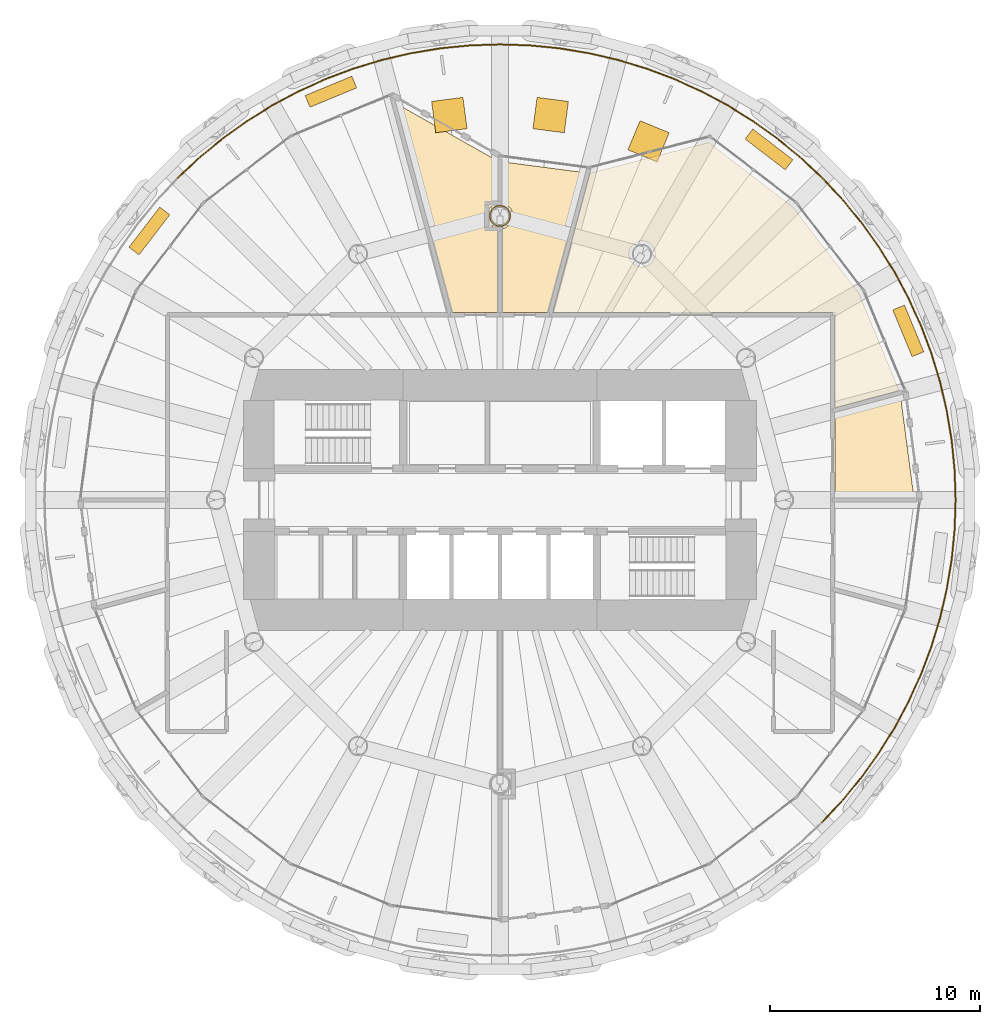
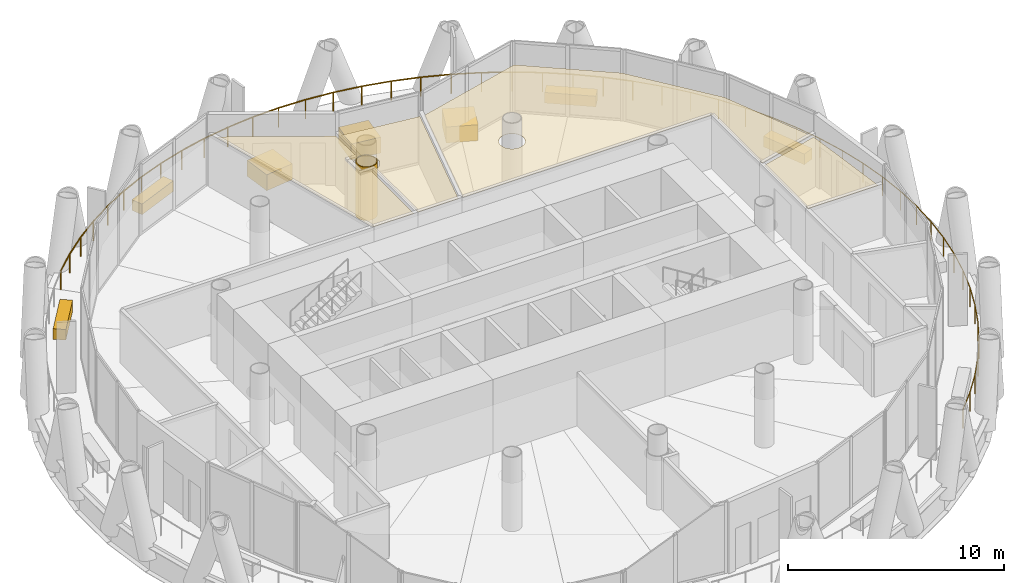
# One storey, part 14 of 14: 12 coverings, 2 railings.
"""IFC4 building model written with IfcOpenShell, lengths in metres."""

import ifcopenshell
import ifcopenshell.guid

model = None  # the IFC model being written
_history = None  # IfcOwnerHistory: only IFC2X3 demands one
_inside = {}  # id of a spatial element -> (the spatial element, [elements in it])
_under = {}  # id of a project, library or spatial element -> (it, [spatial elements below it])
_declared = {}  # id of a project -> (the project, [libraries it declares])
_typed = {}  # id of a type object -> (the type object, [elements of that type])
_made_of = {}  # id of a material, layer set ... -> (it, [elements and type objects made of it])


def new_model(schema):
    """Start an empty IFC model of exactly this schema.

    Asked for "IFC4X3", IfcOpenShell would pick the latest addendum, in which some entities
    have other attributes; the version numbers below select the first issue.
    IFC2X3 requires an IfcOwnerHistory on every rooted entity: one is made here for all.
    """
    global model, _history
    if schema == "IFC4X3":
        model = ifcopenshell.file(schema_version=(4, 3, 0, 0))
    else:
        model = ifcopenshell.file(schema=schema)
    _inside.clear()
    _under.clear()
    _declared.clear()
    _typed.clear()
    _made_of.clear()
    _history = None
    if model.schema == "IFC2X3":
        org = make("IfcOrganization", Name="unknown")
        user = make(
            "IfcPersonAndOrganization",
            ThePerson=make("IfcPerson", FamilyName="unknown"),
            TheOrganization=org,
        )
        app = make(
            "IfcApplication",
            ApplicationDeveloper=org,
            Version="unknown",
            ApplicationFullName="unknown",
            ApplicationIdentifier="unknown",
        )
        _history = make(
            "IfcOwnerHistory",
            OwningUser=user,
            OwningApplication=app,
            ChangeAction="ADDED",
            CreationDate=0,
        )
    return model


def make(cls, **values):
    """One entity of the class cls with the attributes given. An attribute that is None is left unset."""
    return model.create_entity(
        cls, **{name: value for name, value in values.items() if value is not None}
    )


def rooted(cls, **values):
    """An entity with a GlobalId (a new one), such as an element, a storey or a relation."""
    return make(cls, GlobalId=ifcopenshell.guid.new(), OwnerHistory=_history, **values)


def si_unit(unit_type, name, prefix=None):
    """IfcSIUnit, for example si_unit("LENGTHUNIT", "METRE", prefix="MILLI")."""
    return make("IfcSIUnit", UnitType=unit_type, Prefix=prefix, Name=name)


def assignment(units):
    """IfcUnitAssignment: the units of a project."""
    return None if units is None else make("IfcUnitAssignment", Units=units)


def point(xyz):
    """IfcCartesianPoint."""
    return None if xyz is None else make("IfcCartesianPoint", Coordinates=xyz)


def direction(xyz):
    """IfcDirection."""
    return None if xyz is None else make("IfcDirection", DirectionRatios=xyz)


def frame(location, z_axis=None, x_axis=None):
    """IfcAxis2Placement3D, a coordinate frame: its origin and axes. An axis left out is left unset."""
    return make(
        "IfcAxis2Placement3D",
        Location=point(location),
        Axis=direction(z_axis),
        RefDirection=direction(x_axis),
    )


def frame_2d(location, x_axis=None):
    """IfcAxis2Placement2D, a coordinate frame in the plane: its origin and x axis."""
    return make(
        "IfcAxis2Placement2D", Location=point(location), RefDirection=direction(x_axis)
    )


def origin():
    """The frame at (0, 0, 0) with its axes left unset."""
    return frame((0.0, 0.0, 0.0))


def origin_2d():
    """The frame at (0, 0) in the plane with its x axis left unset."""
    return frame_2d((0.0, 0.0))


def place(relative_to, where):
    """IfcLocalPlacement: puts the frame where relative to a parent placement (None: the world)."""
    return make(
        "IfcLocalPlacement", PlacementRelTo=relative_to, RelativePlacement=where
    )


def context(
    kind, dimensions, precision=None, world=None, true_north=None, identifier=None
):
    """IfcGeometricRepresentationContext, for example the 3D "Model" context."""
    return make(
        "IfcGeometricRepresentationContext",
        ContextIdentifier=identifier,
        ContextType=kind,
        CoordinateSpaceDimension=dimensions,
        Precision=precision,
        WorldCoordinateSystem=world,
        TrueNorth=true_north,
    )


def subcontext(parent, identifier, kind, view, scale=None):
    """IfcGeometricRepresentationSubContext, for example "Body" below "Model"."""
    return make(
        "IfcGeometricRepresentationSubContext",
        ContextIdentifier=identifier,
        ContextType=kind,
        ParentContext=parent,
        TargetScale=scale,
        TargetView=view,
    )


def project(units=None, contexts=None):
    """IfcProject with its units and contexts."""
    return rooted(
        "IfcProject",
        Name="project",
        RepresentationContexts=contexts,
        UnitsInContext=assignment(units),
    )


def spatial(cls, under=None, at=None, **own):
    """A site, building, storey or space (cls), placed at a placement, below another one or the project."""
    s = rooted(cls, ObjectPlacement=at, **own)
    if under is not None:
        _under.setdefault(under.id(), (under, []))[1].append(s)
    return s


def polyline(points):
    """IfcPolyline through the points."""
    return make("IfcPolyline", Points=[point(p) for p in points])


def profile(cls, at=None, kind="AREA", **sizes):
    """A parametric profile (cls). Its sizes go by their IFC names, for example OverallWidth=200.0."""
    return make(cls, ProfileType=kind, Position=at, **sizes)


def rectangle(**sizes):
    """IfcRectangleProfileDef."""
    return profile("IfcRectangleProfileDef", **sizes)


def circle(**sizes):
    """IfcCircleProfileDef."""
    return profile("IfcCircleProfileDef", **sizes)


def outline(outer, holes=None, kind="AREA"):
    """IfcArbitraryClosedProfileDef: a profile drawn as a closed curve; with holes, ...WithVoids."""
    if holes is None:
        return make("IfcArbitraryClosedProfileDef", ProfileType=kind, OuterCurve=outer)
    return make(
        "IfcArbitraryProfileDefWithVoids",
        ProfileType=kind,
        OuterCurve=outer,
        InnerCurves=holes,
    )


def extrude(swept, where, along, depth):
    """IfcExtrudedAreaSolid: the profile swept, set in the frame where, extruded along a direction by depth."""
    return make(
        "IfcExtrudedAreaSolid",
        SweptArea=swept,
        Position=where,
        ExtrudedDirection=direction(along),
        Depth=depth,
    )


def shape(context_of_items, identifier, shape_type, items):
    """IfcShapeRepresentation: the items that make up one representation, for example the "Body"."""
    return make(
        "IfcShapeRepresentation",
        ContextOfItems=context_of_items,
        RepresentationIdentifier=identifier,
        RepresentationType=shape_type,
        Items=items,
    )


def material(Name=None, Category=None):
    """IfcMaterial."""
    return make("IfcMaterial", Name=Name, Category=Category)


def layer(
    of_material, thickness, ventilated=None, Name=None, Category=None, Priority=None
):
    """IfcMaterialLayer: one layer of a wall or slab, of a material (None: an air gap)."""
    return make(
        "IfcMaterialLayer",
        Material=of_material,
        LayerThickness=thickness,
        IsVentilated=ventilated,
        Name=Name,
        Category=Category,
        Priority=Priority,
    )


def layer_set(layers, Name=None):
    """IfcMaterialLayerSet."""
    return make("IfcMaterialLayerSet", MaterialLayers=layers, LayerSetName=Name)


def made_of(thing, what):
    """Note that an element or type object is made of a material, layer set ...; save() writes the relation."""
    if what is not None:
        _made_of.setdefault(what.id(), (what, []))[1].append(thing)
    return thing


def type_object(cls, material=None, **own):
    """A type object (cls), such as IfcWallType, which elements share."""
    return made_of(rooted(cls, **own), material)


def element(
    cls,
    number,
    at=None,
    inside=None,
    cuts=None,
    type_object=None,
    material=None,
    context=None,
    identifier="Body",
    shape_type=None,
    held_by="IfcProductDefinitionShape",
    body=None,
    shapes=None,
    **own,
):
    """One element of the class cls, such as IfcWall. Its Tag is "e" and its number.

    at: its placement. inside: the storey or other place that contains it. cuts: it is an
    opening in that element (IfcRelVoidsElement). A single representation is given by context,
    identifier, shape_type and body (its items); several are given by shapes. held_by: the class
    of the entity that holds the representations. save() writes the other relations.
    """
    e = rooted(cls, Tag="e%d" % number, ObjectPlacement=at, **own)
    if body is not None:
        shapes = [shape(context, identifier, shape_type, body)]
    if shapes is not None:
        e.Representation = make(held_by, Representations=shapes)
    if inside is not None:
        _inside.setdefault(inside.id(), (inside, []))[1].append(e)
    if cuts is not None:
        rooted(
            "IfcRelVoidsElement", RelatingBuildingElement=cuts, RelatedOpeningElement=e
        )
    if type_object is not None:
        _typed.setdefault(type_object.id(), (type_object, []))[1].append(e)
    return made_of(e, material)


def aggregate(whole, parts):
    """IfcRelAggregates: a whole, such as a stair, and the parts it consists of."""
    return rooted("IfcRelAggregates", RelatingObject=whole, RelatedObjects=parts)


def save(model, path):
    """Write the relations noted so far, then the file.

    IfcRelAggregates (storeys below a building ...), IfcRelContainedInSpatialStructure (elements
    in a storey), IfcRelDefinesByType, IfcRelAssociatesMaterial and IfcRelDeclares: one each for
    every whole, place, type object, material and project.
    """
    for whole, parts in _under.values():
        aggregate(whole, parts)
    for where, things in _inside.values():
        rooted(
            "IfcRelContainedInSpatialStructure",
            RelatedElements=things,
            RelatingStructure=where,
        )
    for kind, things in _typed.values():
        rooted("IfcRelDefinesByType", RelatedObjects=things, RelatingType=kind)
    for what, things in _made_of.values():
        rooted("IfcRelAssociatesMaterial", RelatedObjects=things, RelatingMaterial=what)
    for by, libraries in _declared.values():
        rooted("IfcRelDeclares", RelatingContext=by, RelatedDefinitions=libraries)
    model.write(path)


model = new_model("IFC4")

# Units and contexts
model_context = context("Model", 3, precision=1e-05, world=origin(), true_north=direction((0.0, 1.0)))
body_context = subcontext(model_context, "Body", "Model", "MODEL_VIEW")
ifc_project = project(units=[si_unit("LENGTHUNIT", "METRE"), si_unit("AREAUNIT", "SQUARE_METRE"), si_unit("VOLUMEUNIT", "CUBIC_METRE"), si_unit("PLANEANGLEUNIT", "RADIAN"), si_unit("MASSUNIT", "GRAM", prefix="KILO")], contexts=[model_context])

# Site, building, storey
site_placement = place(None, origin())
site = spatial("IfcSite", under=ifc_project, at=site_placement, CompositionType="ELEMENT")
building_placement = place(site_placement, origin())
building = spatial("IfcBuilding", under=site, at=building_placement, Name="Qaws Media Tower", CompositionType="ELEMENT")
storey_placement = place(building_placement, frame((0.0, 0.0, 248.60009765625)))
storey = spatial("IfcBuildingStorey", under=building, at=storey_placement, Name="L57", CompositionType="ELEMENT", Elevation=248.60009765625)

# Railings
ifc_material_1 = material(Name="Stainless steel and glass guard", Category="steel")
railing_type = type_object("IfcRailingType", Name="Balcony guard 1100", PredefinedType="GUARDRAIL", material=ifc_material_1)
railing_1_placement = place(storey_placement, frame((75.308837890625, 65.308837890625, 0.0)))
element("IfcRailing", 1, at=railing_1_placement, inside=storey, type_object=railing_type, Name="GR1 balcony guard L57-1", PredefinedType="GUARDRAIL", context=body_context, shape_type="SweptSolid", body=[
    extrude(circle(Radius=0.02392578125, at=origin_2d()), frame((0.0, 0.0, 1.076171875), z_axis=(-0.729821970773, 0.683637251017, 0.0), x_axis=(-0.683637251017, -0.729821970773, 0.0)), (0.0, 0.0, 1.0), 1.416748046875),
    extrude(circle(Radius=0.02392578125, at=origin_2d()), frame((-1.033935546875, 0.968505859375, 1.076171875), z_axis=(-0.773058202791, 0.634335096851, 0.0), x_axis=(-0.634335096851, -0.773058202791, 0.0)), (0.0, 0.0, 1.0), 1.416748046875),
    extrude(circle(Radius=0.02392578125, at=origin_2d()), frame((-2.129150390625, 1.8671875, 1.076171875), z_axis=(-0.812859281779, 0.582460117111, 0.0), x_axis=(-0.582460117111, -0.812859281779, 0.0)), (0.0, 0.0, 1.0), 1.416748046875),
    extrude(circle(Radius=0.02392578125, at=origin_2d()), frame((-3.28076171875, 2.6923828125, 1.076171875), z_axis=(-0.849157927027, 0.528139011026, 0.0), x_axis=(-0.528139011026, -0.849157927027, 0.0)), (0.0, 0.0, 1.0), 1.416748046875),
    extrude(circle(Radius=0.02392578125, at=origin_2d()), frame((-4.48388671875, 3.440673828125, 1.076171875), z_axis=(-0.881966251101, 0.471312562869, 0.0), x_axis=(-0.471312562869, -0.881966251101, 0.0)), (0.0, 0.0, 1.0), 1.416748046875),
    extrude(circle(Radius=0.02392578125, at=origin_2d()), frame((-5.7333984375, 4.1083984375, 1.076171875), z_axis=(-0.910838060155, 0.412763889134, 0.0), x_axis=(-0.412763889134, -0.910838060155, 0.0)), (0.0, 0.0, 1.0), 1.41650390625),
    extrude(circle(Radius=0.02392578125, at=origin_2d()), frame((-7.023681640625, 4.693115234375, 1.076171875), z_axis=(-0.935910679423, 0.352237420133, 0.0), x_axis=(-0.352237420133, -0.935910679423, 0.0)), (0.0, 0.0, 1.0), 1.416748046875),
    extrude(circle(Radius=0.02392578125, at=origin_2d()), frame((-8.349609375, 5.192138671875, 1.076171875), z_axis=(-0.95691563825, 0.290366081479, 0.0), x_axis=(-0.290366081479, -0.95691563825, 0.0)), (0.0, 0.0, 1.0), 1.416748046875),
    extrude(circle(Radius=0.02392578125, at=origin_2d()), frame((-9.705322265625, 5.603515625, 1.076171875), z_axis=(-0.97390979977, 0.22693545759, 0.0), x_axis=(-0.22693545759, -0.97390979977, 0.0)), (0.0, 0.0, 1.0), 1.416748046875),
    extrude(circle(Radius=0.02392578125, at=origin_2d()), frame((-11.085205078125, 5.925048828125, 1.076171875), z_axis=(-0.986621201515, 0.163029459674, 0.0), x_axis=(-0.163029459674, -0.986621201515, 0.0)), (0.0, 0.0, 1.0), 1.416748046875),
    extrude(circle(Radius=0.02392578125, at=origin_2d()), frame((-12.48291015625, 6.156005859375, 1.076171875), z_axis=(-0.995181159943, 0.098053347187, 0.0), x_axis=(-0.098053347187, -0.995181159943, 0.0)), (0.0, 0.0, 1.0), 1.416748046875),
    extrude(circle(Radius=0.02392578125, at=origin_2d()), frame((-13.892822265625, 6.294921875, 1.076171875), z_axis=(-0.999469492017, 0.032568919654, 0.0), x_axis=(-0.032568919654, -0.999469492017, 0.0)), (0.0, 0.0, 1.0), 1.416748046875),
    extrude(circle(Radius=0.02392578125, at=origin_2d()), frame((-15.308837890625, 6.341064453125, 1.076171875), z_axis=(-0.999469492017, -0.032568919654, 0.0), x_axis=(0.032568919654, -0.999469492017, 0.0)), (0.0, 0.0, 1.0), 1.416748046875),
    extrude(circle(Radius=0.02392578125, at=origin_2d()), frame((-16.724853515625, 6.294921875, 1.076171875), z_axis=(-0.995181159943, -0.098053347187, 0.0), x_axis=(0.098053347187, -0.995181159943, 0.0)), (0.0, 0.0, 1.0), 1.416748046875),
    extrude(circle(Radius=0.02392578125, at=origin_2d()), frame((-18.134765625, 6.156005859375, 1.076171875), z_axis=(-0.986621201515, -0.163029459674, 0.0), x_axis=(0.163029459674, -0.986621201515, 0.0)), (0.0, 0.0, 1.0), 1.416748046875),
    extrude(circle(Radius=0.02392578125, at=origin_2d()), frame((-19.532470703125, 5.925048828125, 1.076171875), z_axis=(-0.97390979977, -0.22693545759, 0.0), x_axis=(0.22693545759, -0.97390979977, 0.0)), (0.0, 0.0, 1.0), 1.416748046875),
    extrude(circle(Radius=0.02392578125, at=origin_2d()), frame((-20.912353515625, 5.603515625, 1.076171875), z_axis=(-0.95691563825, -0.290366081479, 0.0), x_axis=(0.290366081479, -0.95691563825, 0.0)), (0.0, 0.0, 1.0), 1.416748046875),
    extrude(circle(Radius=0.02392578125, at=origin_2d()), frame((-22.26806640625, 5.192138671875, 1.076171875), z_axis=(-0.935910679423, -0.352237420133, 0.0), x_axis=(0.352237420133, -0.935910679423, 0.0)), (0.0, 0.0, 1.0), 1.416748046875),
    extrude(circle(Radius=0.02392578125, at=origin_2d()), frame((-23.593994140625, 4.693115234375, 1.076171875), z_axis=(-0.910838060155, -0.412763889134, 0.0), x_axis=(0.412763889134, -0.910838060155, 0.0)), (0.0, 0.0, 1.0), 1.41650390625),
    extrude(circle(Radius=0.02392578125, at=origin_2d()), frame((-24.88427734375, 4.1083984375, 1.076171875), z_axis=(-0.881966251101, -0.471312562869, 0.0), x_axis=(0.471312562869, -0.881966251101, 0.0)), (0.0, 0.0, 1.0), 1.416748046875),
    extrude(circle(Radius=0.02392578125, at=origin_2d()), frame((-26.1337890625, 3.440673828125, 1.076171875), z_axis=(-0.849157927027, -0.528139011026, 0.0), x_axis=(0.528139011026, -0.849157927027, 0.0)), (0.0, 0.0, 1.0), 1.416748046875),
    extrude(circle(Radius=0.02392578125, at=origin_2d()), frame((-27.3369140625, 2.6923828125, 1.076171875), z_axis=(-0.812859281779, -0.582460117111, 0.0), x_axis=(0.582460117111, -0.812859281779, 0.0)), (0.0, 0.0, 1.0), 1.416748046875),
    extrude(circle(Radius=0.02392578125, at=origin_2d()), frame((-28.488525390625, 1.8671875, 1.076171875), z_axis=(-0.773058202791, -0.634335096851, 0.0), x_axis=(0.634335096851, -0.773058202791, 0.0)), (0.0, 0.0, 1.0), 1.416748046875),
    extrude(circle(Radius=0.02392578125, at=origin_2d()), frame((-29.583740234375, 0.968505859375, 1.076171875), z_axis=(-0.729821970773, -0.683637251017, 0.0), x_axis=(0.683637251017, -0.729821970773, 0.0)), (0.0, 0.0, 1.0), 1.416748046875),
    extrude(circle(Radius=0.02099609375, at=origin_2d()), origin(), (0.0, 0.0, 1.0), 1.052001953125),
    extrude(circle(Radius=0.02099609375, at=origin_2d()), frame((-1.033935546875, 0.968505859375, 0.0)), (0.0, 0.0, 1.0), 1.052001953125),
    extrude(circle(Radius=0.02099609375, at=origin_2d()), frame((-2.129150390625, 1.8671875, 0.0)), (0.0, 0.0, 1.0), 1.052001953125),
    extrude(circle(Radius=0.02099609375, at=origin_2d()), frame((-3.28076171875, 2.6923828125, 0.0)), (0.0, 0.0, 1.0), 1.052001953125),
    extrude(circle(Radius=0.02099609375, at=origin_2d()), frame((-4.48388671875, 3.440673828125, 0.0)), (0.0, 0.0, 1.0), 1.052001953125),
    extrude(circle(Radius=0.02099609375, at=origin_2d()), frame((-5.7333984375, 4.1083984375, 0.0)), (0.0, 0.0, 1.0), 1.052001953125),
    extrude(circle(Radius=0.02099609375, at=origin_2d()), frame((-7.023681640625, 4.693115234375, 0.0)), (0.0, 0.0, 1.0), 1.052001953125),
    extrude(circle(Radius=0.02099609375, at=origin_2d()), frame((-8.349609375, 5.192138671875, 0.0)), (0.0, 0.0, 1.0), 1.052001953125),
    extrude(circle(Radius=0.02099609375, at=origin_2d()), frame((-9.705322265625, 5.603515625, 0.0)), (0.0, 0.0, 1.0), 1.052001953125),
    extrude(circle(Radius=0.02099609375, at=origin_2d()), frame((-11.085205078125, 5.925048828125, 0.0)), (0.0, 0.0, 1.0), 1.052001953125),
    extrude(circle(Radius=0.02099609375, at=origin_2d()), frame((-12.48291015625, 6.156005859375, 0.0)), (0.0, 0.0, 1.0), 1.052001953125),
    extrude(circle(Radius=0.02099609375, at=origin_2d()), frame((-13.892822265625, 6.294921875, 0.0)), (0.0, 0.0, 1.0), 1.052001953125),
    extrude(circle(Radius=0.02099609375, at=origin_2d()), frame((-15.308837890625, 6.341064453125, 0.0)), (0.0, 0.0, 1.0), 1.052001953125),
    extrude(circle(Radius=0.02099609375, at=origin_2d()), frame((-16.724853515625, 6.294921875, 0.0)), (0.0, 0.0, 1.0), 1.052001953125),
    extrude(circle(Radius=0.02099609375, at=origin_2d()), frame((-18.134765625, 6.156005859375, 0.0)), (0.0, 0.0, 1.0), 1.052001953125),
    extrude(circle(Radius=0.02099609375, at=origin_2d()), frame((-19.532470703125, 5.925048828125, 0.0)), (0.0, 0.0, 1.0), 1.052001953125),
    extrude(circle(Radius=0.02099609375, at=origin_2d()), frame((-20.912353515625, 5.603515625, 0.0)), (0.0, 0.0, 1.0), 1.052001953125),
    extrude(circle(Radius=0.02099609375, at=origin_2d()), frame((-22.26806640625, 5.192138671875, 0.0)), (0.0, 0.0, 1.0), 1.052001953125),
    extrude(circle(Radius=0.02099609375, at=origin_2d()), frame((-23.593994140625, 4.693115234375, 0.0)), (0.0, 0.0, 1.0), 1.052001953125),
    extrude(circle(Radius=0.02099609375, at=origin_2d()), frame((-24.88427734375, 4.1083984375, 0.0)), (0.0, 0.0, 1.0), 1.052001953125),
    extrude(circle(Radius=0.02099609375, at=origin_2d()), frame((-26.1337890625, 3.440673828125, 0.0)), (0.0, 0.0, 1.0), 1.052001953125),
    extrude(circle(Radius=0.02099609375, at=origin_2d()), frame((-27.3369140625, 2.6923828125, 0.0)), (0.0, 0.0, 1.0), 1.052001953125),
    extrude(circle(Radius=0.02099609375, at=origin_2d()), frame((-28.488525390625, 1.8671875, 0.0)), (0.0, 0.0, 1.0), 1.052001953125),
    extrude(circle(Radius=0.02099609375, at=origin_2d()), frame((-29.583740234375, 0.968505859375, 0.0)), (0.0, 0.0, 1.0), 1.052001953125),
    extrude(circle(Radius=0.02099609375, at=origin_2d()), frame((-30.61767578125, 0.0, 0.0)), (0.0, 0.0, 1.0), 1.052001953125),
])
railing_2_placement = place(storey_placement, frame((75.308837890625, 34.691162109375, 0.0)))
element("IfcRailing", 2, at=railing_2_placement, inside=storey, type_object=railing_type, Name="GR1 balcony guard L57-4", PredefinedType="GUARDRAIL", context=body_context, shape_type="SweptSolid", body=[
    extrude(circle(Radius=0.02392578125, at=origin_2d()), frame((0.0, 0.0, 1.076171875), z_axis=(0.683637251017, 0.729821970773, 0.0), x_axis=(-0.729821970773, 0.683637251017, 0.0)), (0.0, 0.0, 1.0), 1.416748046875),
    extrude(circle(Radius=0.02392578125, at=origin_2d()), frame((0.968505859375, 1.033935546875, 1.076171875), z_axis=(0.634335096851, 0.773058202791, 0.0), x_axis=(-0.773058202791, 0.634335096851, 0.0)), (0.0, 0.0, 1.0), 1.416748046875),
    extrude(circle(Radius=0.02392578125, at=origin_2d()), frame((1.8671875, 2.129150390625, 1.076171875), z_axis=(0.582460117111, 0.812859281779, 0.0), x_axis=(-0.812859281779, 0.582460117111, 0.0)), (0.0, 0.0, 1.0), 1.416748046875),
    extrude(circle(Radius=0.02392578125, at=origin_2d()), frame((2.6923828125, 3.28076171875, 1.076171875), z_axis=(0.528139011026, 0.849157927027, 0.0), x_axis=(-0.849157927027, 0.528139011026, 0.0)), (0.0, 0.0, 1.0), 1.416748046875),
    extrude(circle(Radius=0.02392578125, at=origin_2d()), frame((3.440673828125, 4.48388671875, 1.076171875), z_axis=(0.471312562869, 0.881966251101, 0.0), x_axis=(-0.881966251101, 0.471312562869, 0.0)), (0.0, 0.0, 1.0), 1.416748046875),
    extrude(circle(Radius=0.02392578125, at=origin_2d()), frame((4.1083984375, 5.7333984375, 1.076171875), z_axis=(0.412763889134, 0.910838060155, 0.0), x_axis=(-0.910838060155, 0.412763889134, 0.0)), (0.0, 0.0, 1.0), 1.41650390625),
    extrude(circle(Radius=0.02392578125, at=origin_2d()), frame((4.693115234375, 7.023681640625, 1.076171875), z_axis=(0.352237420133, 0.935910679423, 0.0), x_axis=(-0.935910679423, 0.352237420133, 0.0)), (0.0, 0.0, 1.0), 1.416748046875),
    extrude(circle(Radius=0.02392578125, at=origin_2d()), frame((5.192138671875, 8.349609375, 1.076171875), z_axis=(0.290366081479, 0.95691563825, 0.0), x_axis=(-0.95691563825, 0.290366081479, 0.0)), (0.0, 0.0, 1.0), 1.416748046875),
    extrude(circle(Radius=0.02392578125, at=origin_2d()), frame((5.603515625, 9.705322265625, 1.076171875), z_axis=(0.22693545759, 0.97390979977, 0.0), x_axis=(-0.97390979977, 0.22693545759, 0.0)), (0.0, 0.0, 1.0), 1.416748046875),
    extrude(circle(Radius=0.02392578125, at=origin_2d()), frame((5.925048828125, 11.085205078125, 1.076171875), z_axis=(0.163029459674, 0.986621201515, 0.0), x_axis=(-0.986621201515, 0.163029459674, 0.0)), (0.0, 0.0, 1.0), 1.416748046875),
    extrude(circle(Radius=0.02392578125, at=origin_2d()), frame((6.156005859375, 12.48291015625, 1.076171875), z_axis=(0.098053347187, 0.995181159943, 0.0), x_axis=(-0.995181159943, 0.098053347187, 0.0)), (0.0, 0.0, 1.0), 1.416748046875),
    extrude(circle(Radius=0.02392578125, at=origin_2d()), frame((6.294921875, 13.892822265625, 1.076171875), z_axis=(0.032568919654, 0.999469492017, 0.0), x_axis=(-0.999469492017, 0.032568919654, 0.0)), (0.0, 0.0, 1.0), 1.416748046875),
    extrude(circle(Radius=0.02392578125, at=origin_2d()), frame((6.341064453125, 15.308837890625, 1.076171875), z_axis=(-0.032568919654, 0.999469492017, 0.0), x_axis=(-0.999469492017, -0.032568919654, 0.0)), (0.0, 0.0, 1.0), 1.416748046875),
    extrude(circle(Radius=0.02392578125, at=origin_2d()), frame((6.294921875, 16.724853515625, 1.076171875), z_axis=(-0.098053347187, 0.995181159943, 0.0), x_axis=(-0.995181159943, -0.098053347187, 0.0)), (0.0, 0.0, 1.0), 1.416748046875),
    extrude(circle(Radius=0.02392578125, at=origin_2d()), frame((6.156005859375, 18.134765625, 1.076171875), z_axis=(-0.163029459674, 0.986621201515, 0.0), x_axis=(-0.986621201515, -0.163029459674, 0.0)), (0.0, 0.0, 1.0), 1.416748046875),
    extrude(circle(Radius=0.02392578125, at=origin_2d()), frame((5.925048828125, 19.532470703125, 1.076171875), z_axis=(-0.22693545759, 0.97390979977, 0.0), x_axis=(-0.97390979977, -0.22693545759, 0.0)), (0.0, 0.0, 1.0), 1.416748046875),
    extrude(circle(Radius=0.02392578125, at=origin_2d()), frame((5.603515625, 20.912353515625, 1.076171875), z_axis=(-0.290366081479, 0.95691563825, 0.0), x_axis=(-0.95691563825, -0.290366081479, 0.0)), (0.0, 0.0, 1.0), 1.416748046875),
    extrude(circle(Radius=0.02392578125, at=origin_2d()), frame((5.192138671875, 22.26806640625, 1.076171875), z_axis=(-0.352237420133, 0.935910679423, 0.0), x_axis=(-0.935910679423, -0.352237420133, 0.0)), (0.0, 0.0, 1.0), 1.416748046875),
    extrude(circle(Radius=0.02392578125, at=origin_2d()), frame((4.693115234375, 23.593994140625, 1.076171875), z_axis=(-0.412763889134, 0.910838060155, 0.0), x_axis=(-0.910838060155, -0.412763889134, 0.0)), (0.0, 0.0, 1.0), 1.41650390625),
    extrude(circle(Radius=0.02392578125, at=origin_2d()), frame((4.1083984375, 24.88427734375, 1.076171875), z_axis=(-0.471312562869, 0.881966251101, 0.0), x_axis=(-0.881966251101, -0.471312562869, 0.0)), (0.0, 0.0, 1.0), 1.416748046875),
    extrude(circle(Radius=0.02392578125, at=origin_2d()), frame((3.440673828125, 26.1337890625, 1.076171875), z_axis=(-0.528139011026, 0.849157927027, 0.0), x_axis=(-0.849157927027, -0.528139011026, 0.0)), (0.0, 0.0, 1.0), 1.416748046875),
    extrude(circle(Radius=0.02392578125, at=origin_2d()), frame((2.6923828125, 27.3369140625, 1.076171875), z_axis=(-0.582460117111, 0.812859281779, 0.0), x_axis=(-0.812859281779, -0.582460117111, 0.0)), (0.0, 0.0, 1.0), 1.416748046875),
    extrude(circle(Radius=0.02392578125, at=origin_2d()), frame((1.8671875, 28.488525390625, 1.076171875), z_axis=(-0.634335096851, 0.773058202791, 0.0), x_axis=(-0.773058202791, -0.634335096851, 0.0)), (0.0, 0.0, 1.0), 1.416748046875),
    extrude(circle(Radius=0.02392578125, at=origin_2d()), frame((0.968505859375, 29.583740234375, 1.076171875), z_axis=(-0.683637251017, 0.729821970773, 0.0), x_axis=(-0.729821970773, -0.683637251017, 0.0)), (0.0, 0.0, 1.0), 1.416748046875),
    extrude(circle(Radius=0.02099609375, at=origin_2d()), origin(), (0.0, 0.0, 1.0), 1.052001953125),
    extrude(circle(Radius=0.02099609375, at=origin_2d()), frame((0.968505859375, 1.033935546875, 0.0)), (0.0, 0.0, 1.0), 1.052001953125),
    extrude(circle(Radius=0.02099609375, at=origin_2d()), frame((1.8671875, 2.129150390625, 0.0)), (0.0, 0.0, 1.0), 1.052001953125),
    extrude(circle(Radius=0.02099609375, at=origin_2d()), frame((2.6923828125, 3.28076171875, 0.0)), (0.0, 0.0, 1.0), 1.052001953125),
    extrude(circle(Radius=0.02099609375, at=origin_2d()), frame((3.440673828125, 4.48388671875, 0.0)), (0.0, 0.0, 1.0), 1.052001953125),
    extrude(circle(Radius=0.02099609375, at=origin_2d()), frame((4.1083984375, 5.7333984375, 0.0)), (0.0, 0.0, 1.0), 1.052001953125),
    extrude(circle(Radius=0.02099609375, at=origin_2d()), frame((4.693115234375, 7.023681640625, 0.0)), (0.0, 0.0, 1.0), 1.052001953125),
    extrude(circle(Radius=0.02099609375, at=origin_2d()), frame((5.192138671875, 8.349609375, 0.0)), (0.0, 0.0, 1.0), 1.052001953125),
    extrude(circle(Radius=0.02099609375, at=origin_2d()), frame((5.603515625, 9.705322265625, 0.0)), (0.0, 0.0, 1.0), 1.052001953125),
    extrude(circle(Radius=0.02099609375, at=origin_2d()), frame((5.925048828125, 11.085205078125, 0.0)), (0.0, 0.0, 1.0), 1.052001953125),
    extrude(circle(Radius=0.02099609375, at=origin_2d()), frame((6.156005859375, 12.48291015625, 0.0)), (0.0, 0.0, 1.0), 1.052001953125),
    extrude(circle(Radius=0.02099609375, at=origin_2d()), frame((6.294921875, 13.892822265625, 0.0)), (0.0, 0.0, 1.0), 1.052001953125),
    extrude(circle(Radius=0.02099609375, at=origin_2d()), frame((6.341064453125, 15.308837890625, 0.0)), (0.0, 0.0, 1.0), 1.052001953125),
    extrude(circle(Radius=0.02099609375, at=origin_2d()), frame((6.294921875, 16.724853515625, 0.0)), (0.0, 0.0, 1.0), 1.052001953125),
    extrude(circle(Radius=0.02099609375, at=origin_2d()), frame((6.156005859375, 18.134765625, 0.0)), (0.0, 0.0, 1.0), 1.052001953125),
    extrude(circle(Radius=0.02099609375, at=origin_2d()), frame((5.925048828125, 19.532470703125, 0.0)), (0.0, 0.0, 1.0), 1.052001953125),
    extrude(circle(Radius=0.02099609375, at=origin_2d()), frame((5.603515625, 20.912353515625, 0.0)), (0.0, 0.0, 1.0), 1.052001953125),
    extrude(circle(Radius=0.02099609375, at=origin_2d()), frame((5.192138671875, 22.26806640625, 0.0)), (0.0, 0.0, 1.0), 1.052001953125),
    extrude(circle(Radius=0.02099609375, at=origin_2d()), frame((4.693115234375, 23.593994140625, 0.0)), (0.0, 0.0, 1.0), 1.052001953125),
    extrude(circle(Radius=0.02099609375, at=origin_2d()), frame((4.1083984375, 24.88427734375, 0.0)), (0.0, 0.0, 1.0), 1.052001953125),
    extrude(circle(Radius=0.02099609375, at=origin_2d()), frame((3.440673828125, 26.1337890625, 0.0)), (0.0, 0.0, 1.0), 1.052001953125),
    extrude(circle(Radius=0.02099609375, at=origin_2d()), frame((2.6923828125, 27.3369140625, 0.0)), (0.0, 0.0, 1.0), 1.052001953125),
    extrude(circle(Radius=0.02099609375, at=origin_2d()), frame((1.8671875, 28.488525390625, 0.0)), (0.0, 0.0, 1.0), 1.052001953125),
    extrude(circle(Radius=0.02099609375, at=origin_2d()), frame((0.968505859375, 29.583740234375, 0.0)), (0.0, 0.0, 1.0), 1.052001953125),
    extrude(circle(Radius=0.02099609375, at=origin_2d()), frame((0.0, 30.61767578125, 0.0)), (0.0, 0.0, 1.0), 1.052001953125),
])

# Coverings
ifc_material_2 = material(Name="Two layers 15 fire-rated gypsum board on steel framing", Category="steel")
ifc_layer_1 = layer(ifc_material_2, 0.050048828125)
ifc_layer_set_1 = layer_set([ifc_layer_1], Name="Column fire casing")
covering_type_1 = type_object("IfcCoveringType", Name="Column fire casing", PredefinedType="CLADDING", material=ifc_layer_set_1)
covering_1_placement = place(storey_placement, origin())
element("IfcCovering", 3, at=covering_1_placement, inside=storey, type_object=covering_type_1, Name="CC1 column casing L57", PredefinedType="CLADDING", context=body_context, shape_type="SweptSolid", body=[
    extrude(outline(polyline([(60.511962890625, 63.5), (60.507568359375, 63.43310546875), (60.49462890625, 63.367431640625), (60.472900390625, 63.30419921875), (60.443359375, 63.243896484375), (60.40625, 63.188232421875), (60.362060546875, 63.137939453125), (60.311767578125, 63.09375), (60.256103515625, 63.056640625), (60.19580078125, 63.027099609375), (60.132568359375, 63.00537109375), (60.06689453125, 62.992431640625), (60.0, 62.988037109375), (59.93310546875, 62.992431640625), (59.867431640625, 63.00537109375), (59.80419921875, 63.027099609375), (59.743896484375, 63.056640625), (59.688232421875, 63.09375), (59.637939453125, 63.137939453125), (59.59375, 63.188232421875), (59.556640625, 63.243896484375), (59.527099609375, 63.30419921875), (59.50537109375, 63.367431640625), (59.492431640625, 63.43310546875), (59.488037109375, 63.5), (59.492431640625, 63.56689453125), (59.50537109375, 63.632568359375), (59.527099609375, 63.69580078125), (59.556640625, 63.756103515625), (59.59375, 63.811767578125), (59.637939453125, 63.862060546875), (59.688232421875, 63.90625), (59.743896484375, 63.943359375), (59.80419921875, 63.972900390625), (59.867431640625, 63.99462890625), (59.93310546875, 64.007568359375), (60.0, 64.011962890625), (60.06689453125, 64.007568359375), (60.132568359375, 63.99462890625), (60.19580078125, 63.972900390625), (60.256103515625, 63.943359375), (60.311767578125, 63.90625), (60.362060546875, 63.862060546875), (60.40625, 63.811767578125), (60.443359375, 63.756103515625), (60.472900390625, 63.69580078125), (60.49462890625, 63.632568359375), (60.507568359375, 63.56689453125), (60.511962890625, 63.5)]), holes=[polyline([(60.4599609375, 63.5), (60.4560546875, 63.43994140625), (60.4443359375, 63.380859375), (60.425048828125, 63.323974609375), (60.3984375, 63.27001953125), (60.364990234375, 63.219970703125), (60.3251953125, 63.1748046875), (60.280029296875, 63.135009765625), (60.22998046875, 63.1015625), (60.176025390625, 63.074951171875), (60.119140625, 63.0556640625), (60.06005859375, 63.0439453125), (60.0, 63.0400390625), (59.93994140625, 63.0439453125), (59.880859375, 63.0556640625), (59.823974609375, 63.074951171875), (59.77001953125, 63.1015625), (59.719970703125, 63.135009765625), (59.6748046875, 63.1748046875), (59.635009765625, 63.219970703125), (59.6015625, 63.27001953125), (59.574951171875, 63.323974609375), (59.5556640625, 63.380859375), (59.5439453125, 63.43994140625), (59.5400390625, 63.5), (59.5439453125, 63.56005859375), (59.5556640625, 63.619140625), (59.574951171875, 63.676025390625), (59.6015625, 63.72998046875), (59.635009765625, 63.780029296875), (59.6748046875, 63.8251953125), (59.719970703125, 63.864990234375), (59.77001953125, 63.8984375), (59.823974609375, 63.925048828125), (59.880859375, 63.9443359375), (59.93994140625, 63.9560546875), (60.0, 63.9599609375), (60.06005859375, 63.9560546875), (60.119140625, 63.9443359375), (60.176025390625, 63.925048828125), (60.22998046875, 63.8984375), (60.280029296875, 63.864990234375), (60.3251953125, 63.8251953125), (60.364990234375, 63.780029296875), (60.3984375, 63.72998046875), (60.425048828125, 63.676025390625), (60.4443359375, 63.619140625), (60.4560546875, 63.56005859375), (60.4599609375, 63.5)])]), origin(), (0.0, 0.0, 1.0), 3.02001953125),
])
ifc_material_3 = material(Name="600 x 600 mineral fibre tiles in exposed grid, suspended", Category="mineral fibre")
ifc_layer_2 = layer(ifc_material_3, 0.02001953125)
ifc_layer_set_2 = layer_set([ifc_layer_2], Name="Mineral fibre tile ceiling 20")
covering_type_2 = type_object("IfcCoveringType", Name="Mineral fibre tile ceiling 20", PredefinedType="CEILING", material=ifc_layer_set_2)
covering_2_placement = place(storey_placement, frame((0.0, 0.0, 2.849853515625)))
element("IfcCovering", 4, at=covering_2_placement, inside=storey, type_object=covering_type_2, Name="CL1 ceiling L57-03 Tenant office", PredefinedType="CEILING", context=body_context, shape_type="SweptSolid", body=[
    extrude(outline(polyline([(69.916748046875, 66.990966796875), (73.919677734375, 63.919677734375), (77.0478515625, 59.842529296875), (78.97119140625, 55.19970703125), (75.91259765625, 54.380126953125), (75.91259765625, 58.91259765625), (62.504638671875, 58.91259765625), (64.27880859375, 65.533935546875), (69.916748046875, 66.990966796875)]), holes=[polyline([(67.320068359375, 61.455078125), (67.345947265625, 61.53173828125), (67.36181640625, 61.61083984375), (67.366943359375, 61.69140625), (67.36181640625, 61.77197265625), (67.345947265625, 61.85107421875), (67.320068359375, 61.927490234375), (67.2841796875, 61.999755859375), (67.239501953125, 62.06689453125), (67.186279296875, 62.127685546875), (67.12548828125, 62.180908203125), (67.05859375, 62.2255859375), (66.986083984375, 62.261474609375), (66.90966796875, 62.287353515625), (66.83056640625, 62.302978515625), (66.75, 62.308349609375), (66.66943359375, 62.302978515625), (66.59033203125, 62.287353515625), (66.513916015625, 62.261474609375), (66.44140625, 62.2255859375), (66.37451171875, 62.180908203125), (66.313720703125, 62.127685546875), (66.260498046875, 62.06689453125), (66.2158203125, 61.999755859375), (66.179931640625, 61.927490234375), (66.154052734375, 61.85107421875), (66.13818359375, 61.77197265625), (66.133056640625, 61.69140625), (66.13818359375, 61.61083984375), (66.154052734375, 61.53173828125), (66.179931640625, 61.455078125), (66.2158203125, 61.3828125), (66.260498046875, 61.315673828125), (66.313720703125, 61.255126953125), (66.37451171875, 61.201904296875), (66.44140625, 61.156982421875), (66.513916015625, 61.121337890625), (66.59033203125, 61.095458984375), (66.66943359375, 61.07958984375), (66.75, 61.07421875), (66.83056640625, 61.07958984375), (66.90966796875, 61.095458984375), (66.986083984375, 61.121337890625), (67.05859375, 61.156982421875), (67.12548828125, 61.201904296875), (67.186279296875, 61.255126953125), (67.239501953125, 61.315673828125), (67.2841796875, 61.3828125), (67.320068359375, 61.455078125)])]), origin(), (0.0, 0.0, 1.0), 0.02001953125),
])
ifc_material_4 = material(Name="Precast concrete planter with trailing planting", Category="concrete")
ifc_layer_3 = layer(ifc_material_4, 0.60009765625)
ifc_layer_set_3 = layer_set([ifc_layer_3], Name="Planter 2400x600")
covering_type_3 = type_object("IfcCoveringType", Name="Planter 2400x600", PredefinedType="USERDEFINED", material=ifc_layer_set_3)
for number, where, z_axis, x_axis, name in (
    (5, (79.4013671875, 58.036376953125, -0.000244140625), (0.0, 0.0, 1.0), (-0.382683432365, 0.923879532511, 0.0), "PL1 balcony planter L57-01"),
    (6, (72.783935546875, 66.660400390625, -0.000244140625), (0.0, 0.0, 1.0), (-0.793353340291, 0.608761429009, 0.0), "PL1 balcony planter L57-02"),
    (7, (51.963623046875, 69.4013671875, -0.000244140625), (0.0, 0.0, 1.0), (-0.923879532511, -0.382683432365, 0.0), "PL1 balcony planter L57-04"),
    (8, (43.339599609375, 62.783935546875, -0.000244140625), (0.0, 0.0, 1.0), (-0.608761429009, -0.793353340291, 0.0), "PL1 balcony planter L57-05"),
):
    element("IfcCovering", number, at=place(storey_placement, frame(where, z_axis=z_axis, x_axis=x_axis)), inside=storey, type_object=covering_type_3, Name=name, ObjectType="PLANTER", PredefinedType="USERDEFINED", context=body_context, shape_type="SweptSolid", body=[
        extrude(rectangle(XDim=2.39990234375, YDim=0.60009765625, at=origin_2d()), origin(), (0.0, 0.0, 1.0), 0.60009765625),
    ])
ifc_material_5 = material(Name="Two layers 12.5 moisture-resistant plasterboard on suspended metal furring", Category="gypsum")
ifc_layer_4 = layer(ifc_material_5, 0.02490234375)
ifc_layer_set_4 = layer_set([ifc_layer_4], Name="Plasterboard ceiling 25")
covering_type_4 = type_object("IfcCoveringType", Name="Plasterboard ceiling 25", PredefinedType="CEILING", material=ifc_layer_set_4)
covering_3_placement = place(storey_placement, frame((0.0, 0.0, 2.849853515625)))
element("IfcCovering", 9, at=covering_3_placement, inside=storey, type_object=covering_type_4, Name="CL2 ceiling L57-02 Tenant reception", PredefinedType="CEILING", context=body_context, shape_type="SweptSolid", body=[
    extrude(outline(polyline([(79.67041015625, 50.112548828125), (75.91259765625, 50.112548828125), (75.91259765625, 54.147216796875), (79.029296875, 54.982421875), (79.67041015625, 50.112548828125)])), origin(), (0.0, 0.0, 1.0), 0.025146484375),
])
covering_4_placement = place(storey_placement, frame((0.0, 0.0, 2.849853515625)))
element("IfcCovering", 10, at=covering_4_placement, inside=storey, type_object=covering_type_4, Name="CL2 ceiling L57-04 Tenant pantry", PredefinedType="CEILING", context=body_context, shape_type="SweptSolid", body=[
    extrude(outline(polyline([(64.05078125, 65.552001953125), (62.271484375, 58.91259765625), (60.112548828125, 58.91259765625), (60.112548828125, 62.89453125), (60.15966796875, 62.904052734375), (60.236083984375, 62.929931640625), (60.30859375, 62.9658203125), (60.37548828125, 63.010498046875), (60.436279296875, 63.063720703125), (60.489501953125, 63.12451171875), (60.5341796875, 63.19140625), (60.570068359375, 63.263916015625), (60.595947265625, 63.34033203125), (60.61181640625, 63.41943359375), (60.616943359375, 63.5), (60.61181640625, 63.58056640625), (60.595947265625, 63.65966796875), (60.570068359375, 63.736083984375), (60.5341796875, 63.80859375), (60.489501953125, 63.87548828125), (60.436279296875, 63.936279296875), (60.37548828125, 63.989501953125), (60.30859375, 64.0341796875), (60.236083984375, 64.070068359375), (60.15966796875, 64.095947265625), (60.112548828125, 64.10546875), (60.112548828125, 66.0703125), (64.05078125, 65.552001953125)])), origin(), (0.0, 0.0, 1.0), 0.025146484375),
])
covering_5_placement = place(storey_placement, frame((0.0, 0.0, 2.849853515625)))
element("IfcCovering", 11, at=covering_5_placement, inside=storey, type_object=covering_type_4, Name="CL2 ceiling L57-05 Tenant reception", PredefinedType="CEILING", context=body_context, shape_type="SweptSolid", body=[
    extrude(outline(polyline([(59.887451171875, 66.112060546875), (59.887451171875, 64.10546875), (59.84033203125, 64.095947265625), (59.763916015625, 64.070068359375), (59.69140625, 64.0341796875), (59.62451171875, 63.989501953125), (59.563720703125, 63.936279296875), (59.510498046875, 63.87548828125), (59.4658203125, 63.80859375), (59.429931640625, 63.736083984375), (59.404052734375, 63.65966796875), (59.38818359375, 63.58056640625), (59.383056640625, 63.5), (59.38818359375, 63.41943359375), (59.404052734375, 63.34033203125), (59.429931640625, 63.263916015625), (59.4658203125, 63.19140625), (59.510498046875, 63.12451171875), (59.563720703125, 63.063720703125), (59.62451171875, 63.010498046875), (59.69140625, 62.9658203125), (59.763916015625, 62.929931640625), (59.84033203125, 62.904052734375), (59.887451171875, 62.89453125), (59.887451171875, 58.91259765625), (57.728515625, 58.91259765625), (55.069091796875, 68.837158203125), (59.887451171875, 66.112060546875)])), origin(), (0.0, 0.0, 1.0), 0.025146484375),
])
ifc_material_6 = material(Name="Precast concrete tree planter", Category="concrete")
ifc_layer_5 = layer(ifc_material_6, 0.89990234375)
ifc_layer_set_5 = layer_set([ifc_layer_5], Name="Tree planter 1500")
covering_type_5 = type_object("IfcCoveringType", Name="Tree planter 1500", PredefinedType="USERDEFINED", material=ifc_layer_set_5)
for number, where, z_axis, x_axis, name in (
    (12, (67.060546875, 67.045654296875, 0.0), (0.0, 0.0, 1.0), (0.382683432365, 0.923879532511, 0.0), "PL2 sky garden tree planter L57-1"),
    (13, (62.408203125, 68.292236328125, 0.0), (0.0, 0.0, 1.0), (0.13052619222, 0.991444861374, 0.0), "PL2 sky garden tree planter L57-2"),
    (14, (57.591796875, 68.292236328125, 0.0), (0.0, 0.0, 1.0), (-0.13052619222, 0.991444861374, 0.0), "PL2 sky garden tree planter L57-3"),
):
    element("IfcCovering", number, at=place(storey_placement, frame(where, z_axis=z_axis, x_axis=x_axis)), inside=storey, type_object=covering_type_5, Name=name, ObjectType="PLANTER", PredefinedType="USERDEFINED", context=body_context, shape_type="SweptSolid", body=[
        extrude(rectangle(XDim=1.5, YDim=1.5, at=origin_2d()), origin(), (0.0, 0.0, 1.0), 0.89990234375),
    ])

save(model, "model.ifc")
